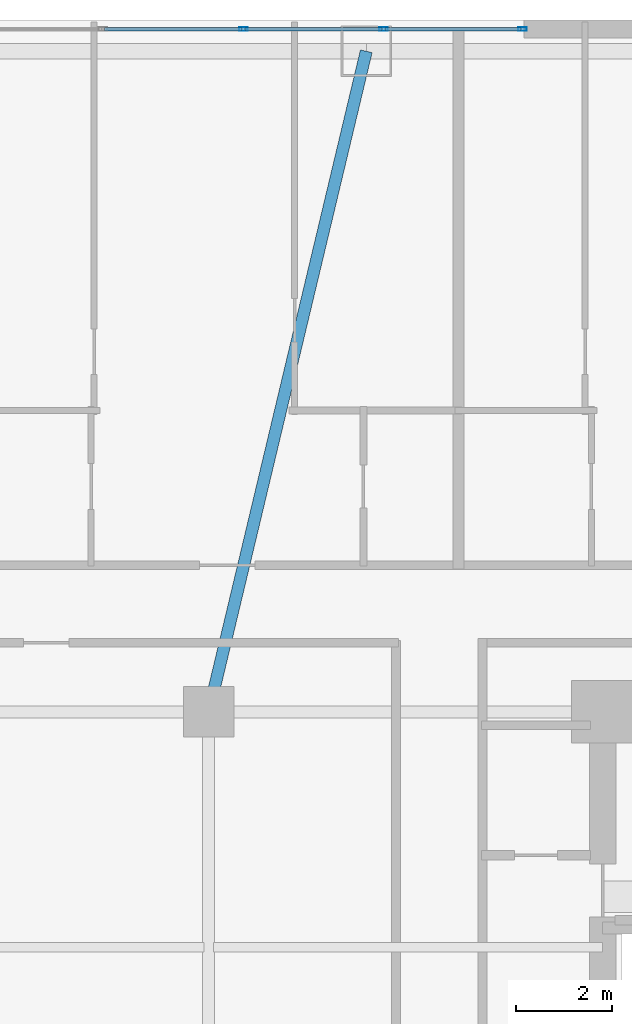
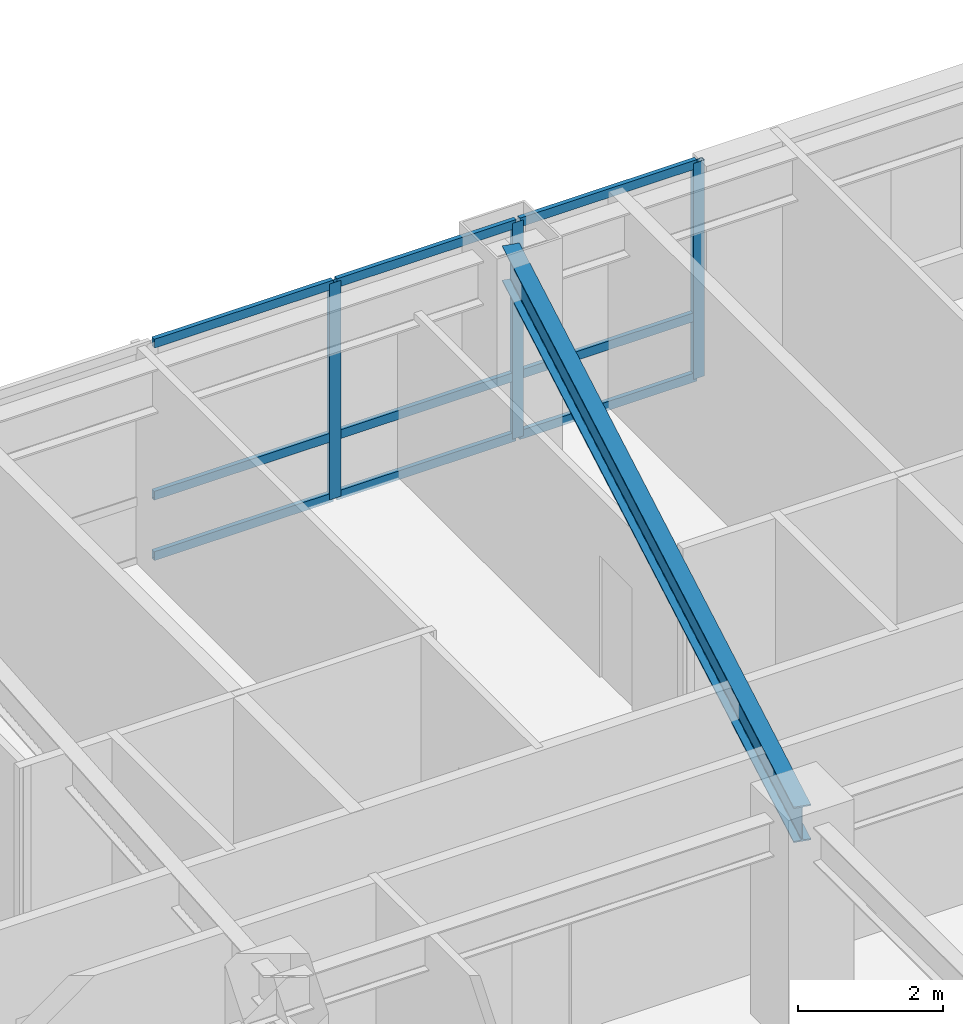
# One storey, part 18 of 28: 12 members, 1 beam, 1 element without a shape of its own.
"""IFC4 building model written with IfcOpenShell, lengths in metres."""

from ifc_helpers import new_model, si_unit, direction, frame, origin, origin_2d, place, context, subcontext, project, spatial, hollow_rectangle, i_section, extrude, material, layer, layer_set, material_profile, profile_set, type_object, element, aggregate, save


model = new_model("IFC4")

# Units and contexts
model_context = context("Model", 3, precision=1e-05, world=origin(), true_north=direction((0.0, 1.0)))
body_context = subcontext(model_context, "Body", "Model", "MODEL_VIEW")
ifc_project = project(units=[si_unit("LENGTHUNIT", "METRE"), si_unit("AREAUNIT", "SQUARE_METRE"), si_unit("VOLUMEUNIT", "CUBIC_METRE"), si_unit("PLANEANGLEUNIT", "RADIAN"), si_unit("MASSUNIT", "GRAM", prefix="KILO")], contexts=[model_context])

# Site, building, storey
site_placement = place(None, origin())
site = spatial("IfcSite", under=ifc_project, at=site_placement, CompositionType="ELEMENT")
building_placement = place(site_placement, origin())
building = spatial("IfcBuilding", under=site, at=building_placement, Name="Voryun Gate Residences", CompositionType="ELEMENT")
storey_placement = place(building_placement, frame((0.0, 0.0, 117.0)))
storey = spatial("IfcBuildingStorey", under=building, at=storey_placement, Name="L28", CompositionType="ELEMENT", Elevation=117.0)

# Beam
ifc_material_1 = material(Name="Steel SM355", Category="steel")
ifc_material_profile_1 = material_profile(ifc_material_1, i_section(OverallWidth=0.25, OverallDepth=0.60009765625, WebThickness=0.011962890625, FlangeThickness=0.02197265625, FilletRadius=0.01806640625, at=origin_2d()), Name="H-600x250x12x22")
ifc_profile_set_1 = profile_set([ifc_material_profile_1], Name="Steel SM355")
beam_type = type_object("IfcBeamType", Name="BM_GIRD_600", PredefinedType="USERDEFINED", material=ifc_profile_set_1)
beam_placement = place(storey_placement, frame((4.199951171875, 7.39990234375, 3.35009765625), z_axis=(0.232036902087, 0.972706983665, 0.0), x_axis=(-0.972706983665, 0.232036902087, 0.0)))
element("IfcBeam", 1, at=beam_placement, inside=storey, type_object=beam_type, Name="BM-L28-RAD-N3", ObjectType="GIRDER", PredefinedType="USERDEFINED", context=body_context, shape_type="SweptSolid", body=[
    extrude(i_section(OverallWidth=0.25, OverallDepth=0.60009765625, WebThickness=0.011962890625, FlangeThickness=0.02197265625, FilletRadius=0.01806640625, at=origin_2d()), origin(), (0.0, 0.0, 1.0), 14.1357421875),
])

# Curtain wall, members
ifc_material_2 = material(Name="Anodised aluminium", Category="aluminium")
ifc_layer = layer(ifc_material_2, 0.179931640625, Name="CW_SYS_RES_A_DARK_GLASS")
ifc_layer_set = layer_set([ifc_layer], Name="Anodised aluminium")
curtain_wall_type = type_object("IfcCurtainWallType", Name="CW_SYS_RES_A_DARK_GLASS", PredefinedType="NOTDEFINED", material=ifc_layer_set)
curtain_wall_placement = place(storey_placement, origin())
curtain_wall = element("IfcCurtainWall", 2, at=curtain_wall_placement, inside=storey, type_object=curtain_wall_type, Name="Curtain wall CWT-L28-11", PredefinedType="NOTDEFINED")
ifc_material_3 = material(Name="Anodised aluminium", Category="aluminium")
ifc_material_profile_2 = material_profile(ifc_material_3, hollow_rectangle(XDim=0.070068359375, YDim=0.179931640625, WallThickness=0.00390625, at=origin_2d()), Name="ALU-MULL-180x70x4")
ifc_profile_set_2 = profile_set([ifc_material_profile_2], Name="Anodised aluminium")
member_type_1 = type_object("IfcMemberType", Name="CW_MULL_RES", PredefinedType="MULLION", material=ifc_profile_set_2)
member_1_placement = place(storey_placement, frame((4.920654296875, 21.610107421875, 0.0), z_axis=(0.0, 0.0, 1.0), x_axis=(0.0, 1.0, 0.0)))
member_1 = element("IfcMember", 3, at=member_1_placement, type_object=member_type_1, Name="CW3 mullion 5", PredefinedType="MULLION", context=body_context, shape_type="SweptSolid", body=[
    extrude(hollow_rectangle(XDim=0.070068359375, YDim=0.179931640625, WallThickness=0.00390625, at=origin_2d()), origin(), (0.0, 0.0, 1.0), 3.64990234375),
])
member_2_placement = place(storey_placement, frame((7.84130859375, 21.610107421875, 0.0), z_axis=(0.0, 0.0, 1.0), x_axis=(0.0, 1.0, 0.0)))
member_2 = element("IfcMember", 4, at=member_2_placement, type_object=member_type_1, Name="CW3 mullion 6", PredefinedType="MULLION", context=body_context, shape_type="SweptSolid", body=[
    extrude(hollow_rectangle(XDim=0.070068359375, YDim=0.179931640625, WallThickness=0.00390625, at=origin_2d()), origin(), (0.0, 0.0, 1.0), 3.64990234375),
])
member_3_placement = place(storey_placement, frame((10.73193359375, 21.610107421875, 0.0), z_axis=(0.0, 0.0, 1.0), x_axis=(0.0, 1.0, 0.0)))
member_3 = element("IfcMember", 5, at=member_3_placement, type_object=member_type_1, Name="CW3 mullion 7", PredefinedType="MULLION", context=body_context, shape_type="SweptSolid", body=[
    extrude(hollow_rectangle(XDim=0.070068359375, YDim=0.179931640625, WallThickness=0.00390625, at=origin_2d()), origin(), (0.0, 0.0, 1.0), 3.64990234375),
])
ifc_material_4 = material(Name="Anodised aluminium", Category="aluminium")
ifc_material_profile_3 = material_profile(ifc_material_4, hollow_rectangle(XDim=0.070068359375, YDim=0.14990234375, WallThickness=0.00390625, at=origin_2d()), Name="ALU-TRAN-150x70x4")
ifc_profile_set_3 = profile_set([ifc_material_profile_3], Name="Anodised aluminium")
member_type_2 = type_object("IfcMemberType", Name="CW_TRAN_RES", PredefinedType="USERDEFINED", material=ifc_profile_set_3)
member_4_placement = place(storey_placement, frame((2.030029296875, 21.610107421875, 0.030029296875), z_axis=(1.0, 0.0, 0.0), x_axis=(0.0, 1.0, 0.0)))
member_4 = element("IfcMember", 6, at=member_4_placement, type_object=member_type_2, Name="CW3 transom 4.1", ObjectType="TRANSOM", PredefinedType="USERDEFINED", context=body_context, shape_type="SweptSolid", body=[
    extrude(hollow_rectangle(XDim=0.070068359375, YDim=0.14990234375, WallThickness=0.00390625, at=origin_2d()), origin(), (0.0, 0.0, 1.0), 2.860595703125),
])
member_5_placement = place(storey_placement, frame((2.030029296875, 21.610107421875, 1.050048828125), z_axis=(1.0, 0.0, 0.0), x_axis=(0.0, 1.0, 0.0)))
member_5 = element("IfcMember", 7, at=member_5_placement, type_object=member_type_2, Name="CW3 transom 4.2", ObjectType="TRANSOM", PredefinedType="USERDEFINED", context=body_context, shape_type="SweptSolid", body=[
    extrude(hollow_rectangle(XDim=0.070068359375, YDim=0.14990234375, WallThickness=0.00390625, at=origin_2d()), origin(), (0.0, 0.0, 1.0), 2.860595703125),
])
member_6_placement = place(storey_placement, frame((2.030029296875, 21.610107421875, 3.6201171875), z_axis=(1.0, 0.0, 0.0), x_axis=(0.0, 1.0, 0.0)))
member_6 = element("IfcMember", 8, at=member_6_placement, type_object=member_type_2, Name="CW3 transom 4.3", ObjectType="TRANSOM", PredefinedType="USERDEFINED", context=body_context, shape_type="SweptSolid", body=[
    extrude(hollow_rectangle(XDim=0.070068359375, YDim=0.14990234375, WallThickness=0.00390625, at=origin_2d()), origin(), (0.0, 0.0, 1.0), 2.860595703125),
])
member_7_placement = place(storey_placement, frame((4.95068359375, 21.610107421875, 0.030029296875), z_axis=(1.0, 0.0, 0.0), x_axis=(0.0, 1.0, 0.0)))
member_7 = element("IfcMember", 9, at=member_7_placement, type_object=member_type_2, Name="CW3 transom 5.1", ObjectType="TRANSOM", PredefinedType="USERDEFINED", context=body_context, shape_type="SweptSolid", body=[
    extrude(hollow_rectangle(XDim=0.070068359375, YDim=0.14990234375, WallThickness=0.00390625, at=origin_2d()), origin(), (0.0, 0.0, 1.0), 2.860595703125),
])
member_8_placement = place(storey_placement, frame((4.95068359375, 21.610107421875, 1.050048828125), z_axis=(1.0, 0.0, 0.0), x_axis=(0.0, 1.0, 0.0)))
member_8 = element("IfcMember", 10, at=member_8_placement, type_object=member_type_2, Name="CW3 transom 5.2", ObjectType="TRANSOM", PredefinedType="USERDEFINED", context=body_context, shape_type="SweptSolid", body=[
    extrude(hollow_rectangle(XDim=0.070068359375, YDim=0.14990234375, WallThickness=0.00390625, at=origin_2d()), origin(), (0.0, 0.0, 1.0), 2.860595703125),
])
member_9_placement = place(storey_placement, frame((4.95068359375, 21.610107421875, 3.6201171875), z_axis=(1.0, 0.0, 0.0), x_axis=(0.0, 1.0, 0.0)))
member_9 = element("IfcMember", 11, at=member_9_placement, type_object=member_type_2, Name="CW3 transom 5.3", ObjectType="TRANSOM", PredefinedType="USERDEFINED", context=body_context, shape_type="SweptSolid", body=[
    extrude(hollow_rectangle(XDim=0.070068359375, YDim=0.14990234375, WallThickness=0.00390625, at=origin_2d()), origin(), (0.0, 0.0, 1.0), 2.860595703125),
])
member_10_placement = place(storey_placement, frame((7.871337890625, 21.610107421875, 0.030029296875), z_axis=(1.0, 0.0, 0.0), x_axis=(0.0, 1.0, 0.0)))
member_10 = element("IfcMember", 12, at=member_10_placement, type_object=member_type_2, Name="CW3 transom 6.1", ObjectType="TRANSOM", PredefinedType="USERDEFINED", context=body_context, shape_type="SweptSolid", body=[
    extrude(hollow_rectangle(XDim=0.070068359375, YDim=0.14990234375, WallThickness=0.00390625, at=origin_2d()), origin(), (0.0, 0.0, 1.0), 2.83056640625),
])
member_11_placement = place(storey_placement, frame((7.871337890625, 21.610107421875, 1.050048828125), z_axis=(1.0, 0.0, 0.0), x_axis=(0.0, 1.0, 0.0)))
member_11 = element("IfcMember", 13, at=member_11_placement, type_object=member_type_2, Name="CW3 transom 6.2", ObjectType="TRANSOM", PredefinedType="USERDEFINED", context=body_context, shape_type="SweptSolid", body=[
    extrude(hollow_rectangle(XDim=0.070068359375, YDim=0.14990234375, WallThickness=0.00390625, at=origin_2d()), origin(), (0.0, 0.0, 1.0), 2.83056640625),
])
member_12_placement = place(storey_placement, frame((7.871337890625, 21.610107421875, 3.6201171875), z_axis=(1.0, 0.0, 0.0), x_axis=(0.0, 1.0, 0.0)))
member_12 = element("IfcMember", 14, at=member_12_placement, type_object=member_type_2, Name="CW3 transom 6.3", ObjectType="TRANSOM", PredefinedType="USERDEFINED", context=body_context, shape_type="SweptSolid", body=[
    extrude(hollow_rectangle(XDim=0.070068359375, YDim=0.14990234375, WallThickness=0.00390625, at=origin_2d()), origin(), (0.0, 0.0, 1.0), 2.83056640625),
])
aggregate(curtain_wall, [member_1, member_2, member_3, member_4, member_5, member_6, member_7, member_8, member_9, member_10, member_11, member_12])

save(model, "model.ifc")
